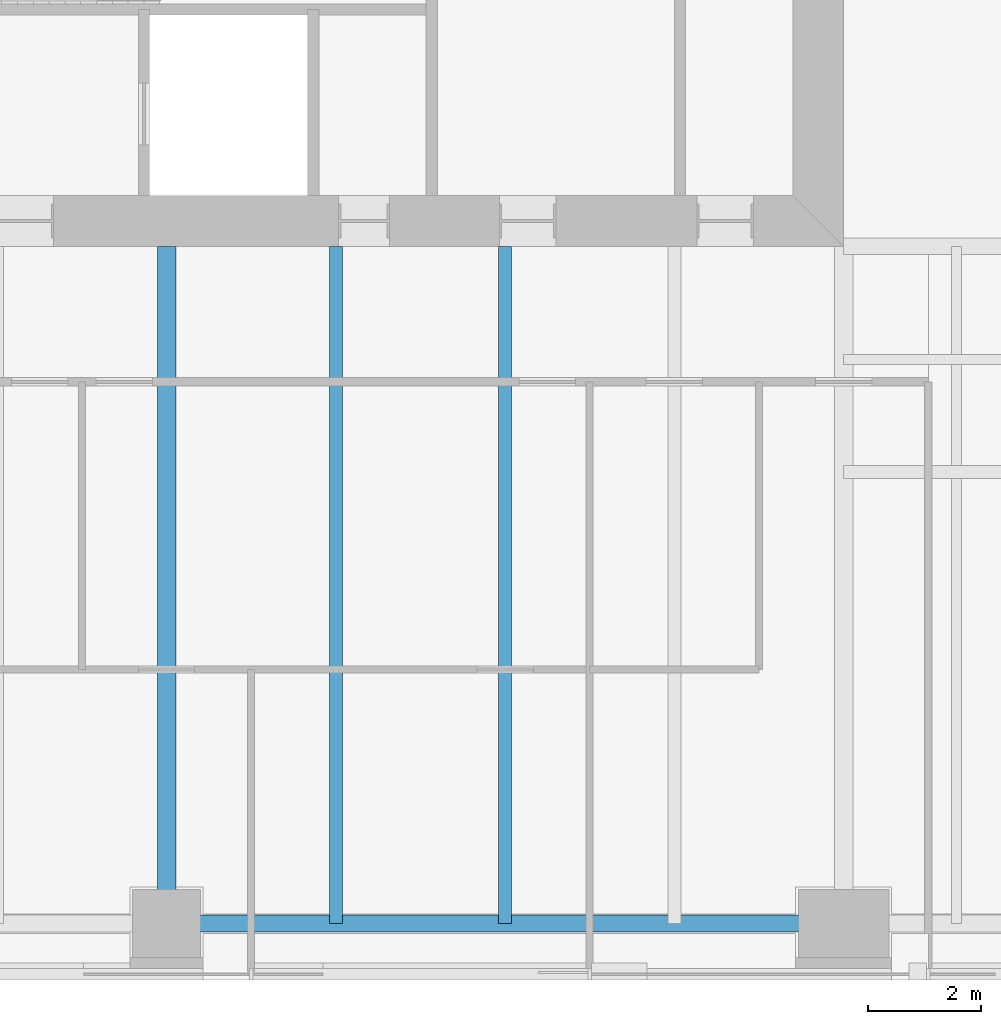
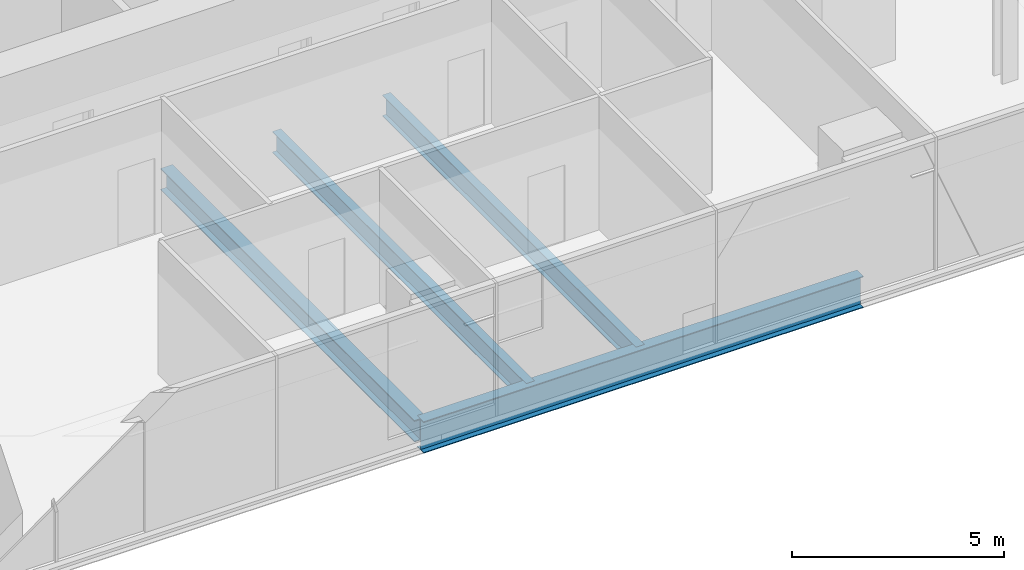
# One storey, part 3 of 14: 4 beams.
"""IFC4 building model written with IfcOpenShell, lengths in metres."""

import ifcopenshell
import ifcopenshell.guid

model = None  # the IFC model being written
_history = None  # IfcOwnerHistory: only IFC2X3 demands one
_inside = {}  # id of a spatial element -> (the spatial element, [elements in it])
_under = {}  # id of a project, library or spatial element -> (it, [spatial elements below it])
_declared = {}  # id of a project -> (the project, [libraries it declares])
_typed = {}  # id of a type object -> (the type object, [elements of that type])
_made_of = {}  # id of a material, layer set ... -> (it, [elements and type objects made of it])


def new_model(schema):
    """Start an empty IFC model of exactly this schema.

    Asked for "IFC4X3", IfcOpenShell would pick the latest addendum, in which some entities
    have other attributes; the version numbers below select the first issue.
    IFC2X3 requires an IfcOwnerHistory on every rooted entity: one is made here for all.
    """
    global model, _history
    if schema == "IFC4X3":
        model = ifcopenshell.file(schema_version=(4, 3, 0, 0))
    else:
        model = ifcopenshell.file(schema=schema)
    _inside.clear()
    _under.clear()
    _declared.clear()
    _typed.clear()
    _made_of.clear()
    _history = None
    if model.schema == "IFC2X3":
        org = make("IfcOrganization", Name="unknown")
        user = make(
            "IfcPersonAndOrganization",
            ThePerson=make("IfcPerson", FamilyName="unknown"),
            TheOrganization=org,
        )
        app = make(
            "IfcApplication",
            ApplicationDeveloper=org,
            Version="unknown",
            ApplicationFullName="unknown",
            ApplicationIdentifier="unknown",
        )
        _history = make(
            "IfcOwnerHistory",
            OwningUser=user,
            OwningApplication=app,
            ChangeAction="ADDED",
            CreationDate=0,
        )
    return model


def make(cls, **values):
    """One entity of the class cls with the attributes given. An attribute that is None is left unset."""
    return model.create_entity(
        cls, **{name: value for name, value in values.items() if value is not None}
    )


def rooted(cls, **values):
    """An entity with a GlobalId (a new one), such as an element, a storey or a relation."""
    return make(cls, GlobalId=ifcopenshell.guid.new(), OwnerHistory=_history, **values)


def si_unit(unit_type, name, prefix=None):
    """IfcSIUnit, for example si_unit("LENGTHUNIT", "METRE", prefix="MILLI")."""
    return make("IfcSIUnit", UnitType=unit_type, Prefix=prefix, Name=name)


def assignment(units):
    """IfcUnitAssignment: the units of a project."""
    return None if units is None else make("IfcUnitAssignment", Units=units)


def point(xyz):
    """IfcCartesianPoint."""
    return None if xyz is None else make("IfcCartesianPoint", Coordinates=xyz)


def direction(xyz):
    """IfcDirection."""
    return None if xyz is None else make("IfcDirection", DirectionRatios=xyz)


def frame(location, z_axis=None, x_axis=None):
    """IfcAxis2Placement3D, a coordinate frame: its origin and axes. An axis left out is left unset."""
    return make(
        "IfcAxis2Placement3D",
        Location=point(location),
        Axis=direction(z_axis),
        RefDirection=direction(x_axis),
    )


def frame_2d(location, x_axis=None):
    """IfcAxis2Placement2D, a coordinate frame in the plane: its origin and x axis."""
    return make(
        "IfcAxis2Placement2D", Location=point(location), RefDirection=direction(x_axis)
    )


def origin():
    """The frame at (0, 0, 0) with its axes left unset."""
    return frame((0.0, 0.0, 0.0))


def origin_2d():
    """The frame at (0, 0) in the plane with its x axis left unset."""
    return frame_2d((0.0, 0.0))


def place(relative_to, where):
    """IfcLocalPlacement: puts the frame where relative to a parent placement (None: the world)."""
    return make(
        "IfcLocalPlacement", PlacementRelTo=relative_to, RelativePlacement=where
    )


def context(
    kind, dimensions, precision=None, world=None, true_north=None, identifier=None
):
    """IfcGeometricRepresentationContext, for example the 3D "Model" context."""
    return make(
        "IfcGeometricRepresentationContext",
        ContextIdentifier=identifier,
        ContextType=kind,
        CoordinateSpaceDimension=dimensions,
        Precision=precision,
        WorldCoordinateSystem=world,
        TrueNorth=true_north,
    )


def subcontext(parent, identifier, kind, view, scale=None):
    """IfcGeometricRepresentationSubContext, for example "Body" below "Model"."""
    return make(
        "IfcGeometricRepresentationSubContext",
        ContextIdentifier=identifier,
        ContextType=kind,
        ParentContext=parent,
        TargetScale=scale,
        TargetView=view,
    )


def project(units=None, contexts=None):
    """IfcProject with its units and contexts."""
    return rooted(
        "IfcProject",
        Name="project",
        RepresentationContexts=contexts,
        UnitsInContext=assignment(units),
    )


def spatial(cls, under=None, at=None, **own):
    """A site, building, storey or space (cls), placed at a placement, below another one or the project."""
    s = rooted(cls, ObjectPlacement=at, **own)
    if under is not None:
        _under.setdefault(under.id(), (under, []))[1].append(s)
    return s


def profile(cls, at=None, kind="AREA", **sizes):
    """A parametric profile (cls). Its sizes go by their IFC names, for example OverallWidth=200.0."""
    return make(cls, ProfileType=kind, Position=at, **sizes)


def i_section(**sizes):
    """IfcIShapeProfileDef."""
    return profile("IfcIShapeProfileDef", **sizes)


def extrude(swept, where, along, depth):
    """IfcExtrudedAreaSolid: the profile swept, set in the frame where, extruded along a direction by depth."""
    return make(
        "IfcExtrudedAreaSolid",
        SweptArea=swept,
        Position=where,
        ExtrudedDirection=direction(along),
        Depth=depth,
    )


def shape(context_of_items, identifier, shape_type, items):
    """IfcShapeRepresentation: the items that make up one representation, for example the "Body"."""
    return make(
        "IfcShapeRepresentation",
        ContextOfItems=context_of_items,
        RepresentationIdentifier=identifier,
        RepresentationType=shape_type,
        Items=items,
    )


def material(Name=None, Category=None):
    """IfcMaterial."""
    return make("IfcMaterial", Name=Name, Category=Category)


def material_profile(
    of_material, cross_section, Name=None, Category=None, Priority=None
):
    """IfcMaterialProfile: a cross section and its material."""
    return make(
        "IfcMaterialProfile",
        Name=Name,
        Material=of_material,
        Profile=cross_section,
        Priority=Priority,
        Category=Category,
    )


def profile_set(profiles, Name=None, composite=None):
    """IfcMaterialProfileSet."""
    return make(
        "IfcMaterialProfileSet",
        Name=Name,
        MaterialProfiles=profiles,
        CompositeProfile=composite,
    )


def made_of(thing, what):
    """Note that an element or type object is made of a material, layer set ...; save() writes the relation."""
    if what is not None:
        _made_of.setdefault(what.id(), (what, []))[1].append(thing)
    return thing


def type_object(cls, material=None, **own):
    """A type object (cls), such as IfcWallType, which elements share."""
    return made_of(rooted(cls, **own), material)


def element(
    cls,
    number,
    at=None,
    inside=None,
    cuts=None,
    type_object=None,
    material=None,
    context=None,
    identifier="Body",
    shape_type=None,
    held_by="IfcProductDefinitionShape",
    body=None,
    shapes=None,
    **own,
):
    """One element of the class cls, such as IfcWall. Its Tag is "e" and its number.

    at: its placement. inside: the storey or other place that contains it. cuts: it is an
    opening in that element (IfcRelVoidsElement). A single representation is given by context,
    identifier, shape_type and body (its items); several are given by shapes. held_by: the class
    of the entity that holds the representations. save() writes the other relations.
    """
    e = rooted(cls, Tag="e%d" % number, ObjectPlacement=at, **own)
    if body is not None:
        shapes = [shape(context, identifier, shape_type, body)]
    if shapes is not None:
        e.Representation = make(held_by, Representations=shapes)
    if inside is not None:
        _inside.setdefault(inside.id(), (inside, []))[1].append(e)
    if cuts is not None:
        rooted(
            "IfcRelVoidsElement", RelatingBuildingElement=cuts, RelatedOpeningElement=e
        )
    if type_object is not None:
        _typed.setdefault(type_object.id(), (type_object, []))[1].append(e)
    return made_of(e, material)


def aggregate(whole, parts):
    """IfcRelAggregates: a whole, such as a stair, and the parts it consists of."""
    return rooted("IfcRelAggregates", RelatingObject=whole, RelatedObjects=parts)


def save(model, path):
    """Write the relations noted so far, then the file.

    IfcRelAggregates (storeys below a building ...), IfcRelContainedInSpatialStructure (elements
    in a storey), IfcRelDefinesByType, IfcRelAssociatesMaterial and IfcRelDeclares: one each for
    every whole, place, type object, material and project.
    """
    for whole, parts in _under.values():
        aggregate(whole, parts)
    for where, things in _inside.values():
        rooted(
            "IfcRelContainedInSpatialStructure",
            RelatedElements=things,
            RelatingStructure=where,
        )
    for kind, things in _typed.values():
        rooted("IfcRelDefinesByType", RelatedObjects=things, RelatingType=kind)
    for what, things in _made_of.values():
        rooted("IfcRelAssociatesMaterial", RelatedObjects=things, RelatingMaterial=what)
    for by, libraries in _declared.values():
        rooted("IfcRelDeclares", RelatingContext=by, RelatedDefinitions=libraries)
    model.write(path)


model = new_model("IFC4")

# Units and contexts
model_context = context("Model", 3, precision=1e-05, world=origin(), true_north=direction((0.0, 1.0)))
body_context = subcontext(model_context, "Body", "Model", "MODEL_VIEW")
ifc_project = project(units=[si_unit("LENGTHUNIT", "METRE"), si_unit("AREAUNIT", "SQUARE_METRE"), si_unit("VOLUMEUNIT", "CUBIC_METRE"), si_unit("PLANEANGLEUNIT", "RADIAN"), si_unit("MASSUNIT", "GRAM", prefix="KILO")], contexts=[model_context])

# Site, building, storey
site_placement = place(None, origin())
site = spatial("IfcSite", under=ifc_project, at=site_placement, CompositionType="ELEMENT")
building_placement = place(site_placement, origin())
building = spatial("IfcBuilding", under=site, at=building_placement, Name="Fenwick Lantern Interchange", CompositionType="ELEMENT")
storey_placement = place(building_placement, frame((0.0, 0.0, 189.800048828125)))
storey = spatial("IfcBuildingStorey", under=building, at=storey_placement, Name="L44", CompositionType="ELEMENT", Elevation=189.800048828125)

# Beams
ifc_material = material(Name="Steel ASTM A992 Grade 50", Category="steel")
ifc_material_profile_1 = material_profile(ifc_material, i_section(OverallWidth=0.3046875, OverallDepth=0.911865234375, WebThickness=0.015869140625, FlangeThickness=0.02392578125, at=origin_2d()), Name="W36X150")
ifc_profile_set_1 = profile_set([ifc_material_profile_1], Name="Steel ASTM A992 Grade 50")
beam_type_1 = type_object("IfcBeamType", Name="EDGE BEAM W36X150", PredefinedType="SPANDREL", material=ifc_profile_set_1)
beam_1_placement = place(storey_placement, frame((25.0, 1.0, -0.60595703125), z_axis=(1.0, 0.0, 0.0), x_axis=(0.0, 1.0, 0.0)))
element("IfcBeam", 1, at=beam_1_placement, inside=storey, type_object=beam_type_1, Name="L44/FR/S/EB3", PredefinedType="SPANDREL", context=body_context, shape_type="SweptSolid", body=[
    extrude(i_section(OverallWidth=0.3046875, OverallDepth=0.911865234375, WebThickness=0.015869140625, FlangeThickness=0.02392578125, at=origin_2d()), origin(), (0.0, 0.0, 1.0), 12.0),
])
ifc_material_profile_2 = material_profile(ifc_material, i_section(OverallWidth=0.22900390625, OverallDepth=0.612060546875, WebThickness=0.011962890625, FlangeThickness=0.01953125, at=origin_2d()), Name="W24X84")
ifc_profile_set_2 = profile_set([ifc_material_profile_2], Name="Steel ASTM A992 Grade 50")
beam_type_2 = type_object("IfcBeamType", Name="FLOOR BEAM W24X84", PredefinedType="BEAM", material=ifc_profile_set_2)
for number, where, z_axis, x_axis, name in (
    (2, (28.0, 1.0, -0.4560546875), (0.0, 1.0, 0.0), (-1.0, 0.0, 0.0), "L44/FR/S/R06"),
    (3, (31.0, 1.0, -0.4560546875), (0.0, 1.0, 0.0), (-1.0, 0.0, 0.0), "L44/FR/S/R07"),
):
    element("IfcBeam", number, at=place(storey_placement, frame(where, z_axis=z_axis, x_axis=x_axis)), inside=storey, type_object=beam_type_2, Name=name, PredefinedType="BEAM", context=body_context, shape_type="SweptSolid", body=[
        extrude(i_section(OverallWidth=0.22900390625, OverallDepth=0.612060546875, WebThickness=0.011962890625, FlangeThickness=0.01953125, at=origin_2d()), origin(), (0.0, 0.0, 1.0), 12.0),
    ])
ifc_material_profile_3 = material_profile(ifc_material, i_section(OverallWidth=0.32763671875, OverallDepth=0.622314453125, WebThickness=0.015380859375, FlangeThickness=0.0244140625, at=origin_2d()), Name="W24X131")
ifc_profile_set_3 = profile_set([ifc_material_profile_3], Name="Steel ASTM A992 Grade 50")
beam_type_3 = type_object("IfcBeamType", Name="MOMENT-CONNECTED GIRDER W24X131", PredefinedType="BEAM", material=ifc_profile_set_3)
beam_2_placement = place(storey_placement, frame((25.0, 1.0, -0.461181640625), z_axis=(0.0, 1.0, 0.0), x_axis=(-1.0, 0.0, 0.0)))
element("IfcBeam", 4, at=beam_2_placement, inside=storey, type_object=beam_type_3, Name="L44/FR/S/R05", PredefinedType="BEAM", context=body_context, shape_type="SweptSolid", body=[
    extrude(i_section(OverallWidth=0.32763671875, OverallDepth=0.622314453125, WebThickness=0.015380859375, FlangeThickness=0.0244140625, at=origin_2d()), origin(), (0.0, 0.0, 1.0), 12.0),
])

save(model, "model.ifc")
